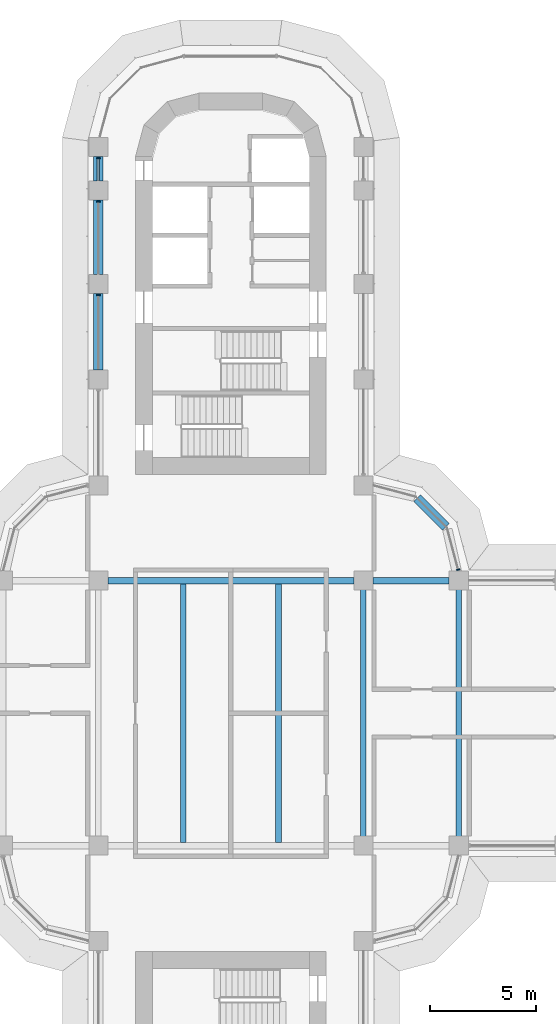
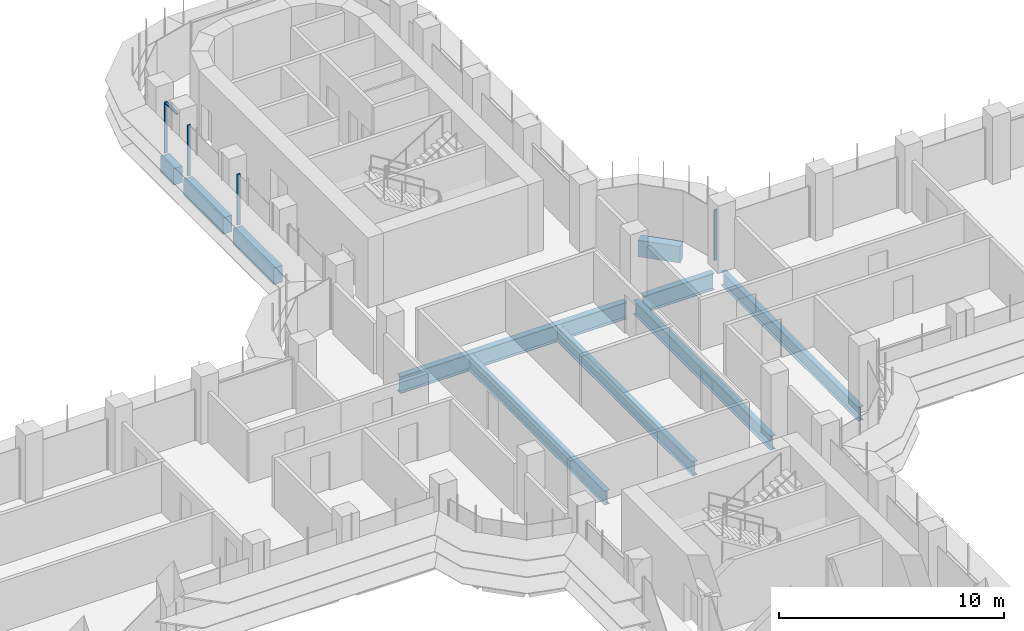
# One storey, part 7 of 22: 10 beams, 5 members, 2 elements without a shape of their own.
"""IFC4 building model written with IfcOpenShell, lengths in metres."""

import ifcopenshell
import ifcopenshell.guid

model = None  # the IFC model being written
_history = None  # IfcOwnerHistory: only IFC2X3 demands one
_inside = {}  # id of a spatial element -> (the spatial element, [elements in it])
_under = {}  # id of a project, library or spatial element -> (it, [spatial elements below it])
_declared = {}  # id of a project -> (the project, [libraries it declares])
_typed = {}  # id of a type object -> (the type object, [elements of that type])
_made_of = {}  # id of a material, layer set ... -> (it, [elements and type objects made of it])


def new_model(schema):
    """Start an empty IFC model of exactly this schema.

    Asked for "IFC4X3", IfcOpenShell would pick the latest addendum, in which some entities
    have other attributes; the version numbers below select the first issue.
    IFC2X3 requires an IfcOwnerHistory on every rooted entity: one is made here for all.
    """
    global model, _history
    if schema == "IFC4X3":
        model = ifcopenshell.file(schema_version=(4, 3, 0, 0))
    else:
        model = ifcopenshell.file(schema=schema)
    _inside.clear()
    _under.clear()
    _declared.clear()
    _typed.clear()
    _made_of.clear()
    _history = None
    if model.schema == "IFC2X3":
        org = make("IfcOrganization", Name="unknown")
        user = make(
            "IfcPersonAndOrganization",
            ThePerson=make("IfcPerson", FamilyName="unknown"),
            TheOrganization=org,
        )
        app = make(
            "IfcApplication",
            ApplicationDeveloper=org,
            Version="unknown",
            ApplicationFullName="unknown",
            ApplicationIdentifier="unknown",
        )
        _history = make(
            "IfcOwnerHistory",
            OwningUser=user,
            OwningApplication=app,
            ChangeAction="ADDED",
            CreationDate=0,
        )
    return model


def make(cls, **values):
    """One entity of the class cls with the attributes given. An attribute that is None is left unset."""
    return model.create_entity(
        cls, **{name: value for name, value in values.items() if value is not None}
    )


def rooted(cls, **values):
    """An entity with a GlobalId (a new one), such as an element, a storey or a relation."""
    return make(cls, GlobalId=ifcopenshell.guid.new(), OwnerHistory=_history, **values)


def si_unit(unit_type, name, prefix=None):
    """IfcSIUnit, for example si_unit("LENGTHUNIT", "METRE", prefix="MILLI")."""
    return make("IfcSIUnit", UnitType=unit_type, Prefix=prefix, Name=name)


def assignment(units):
    """IfcUnitAssignment: the units of a project."""
    return None if units is None else make("IfcUnitAssignment", Units=units)


def point(xyz):
    """IfcCartesianPoint."""
    return None if xyz is None else make("IfcCartesianPoint", Coordinates=xyz)


def direction(xyz):
    """IfcDirection."""
    return None if xyz is None else make("IfcDirection", DirectionRatios=xyz)


def frame(location, z_axis=None, x_axis=None):
    """IfcAxis2Placement3D, a coordinate frame: its origin and axes. An axis left out is left unset."""
    return make(
        "IfcAxis2Placement3D",
        Location=point(location),
        Axis=direction(z_axis),
        RefDirection=direction(x_axis),
    )


def frame_2d(location, x_axis=None):
    """IfcAxis2Placement2D, a coordinate frame in the plane: its origin and x axis."""
    return make(
        "IfcAxis2Placement2D", Location=point(location), RefDirection=direction(x_axis)
    )


def origin():
    """The frame at (0, 0, 0) with its axes left unset."""
    return frame((0.0, 0.0, 0.0))


def origin_2d():
    """The frame at (0, 0) in the plane with its x axis left unset."""
    return frame_2d((0.0, 0.0))


def place(relative_to, where):
    """IfcLocalPlacement: puts the frame where relative to a parent placement (None: the world)."""
    return make(
        "IfcLocalPlacement", PlacementRelTo=relative_to, RelativePlacement=where
    )


def context(
    kind, dimensions, precision=None, world=None, true_north=None, identifier=None
):
    """IfcGeometricRepresentationContext, for example the 3D "Model" context."""
    return make(
        "IfcGeometricRepresentationContext",
        ContextIdentifier=identifier,
        ContextType=kind,
        CoordinateSpaceDimension=dimensions,
        Precision=precision,
        WorldCoordinateSystem=world,
        TrueNorth=true_north,
    )


def subcontext(parent, identifier, kind, view, scale=None):
    """IfcGeometricRepresentationSubContext, for example "Body" below "Model"."""
    return make(
        "IfcGeometricRepresentationSubContext",
        ContextIdentifier=identifier,
        ContextType=kind,
        ParentContext=parent,
        TargetScale=scale,
        TargetView=view,
    )


def project(units=None, contexts=None):
    """IfcProject with its units and contexts."""
    return rooted(
        "IfcProject",
        Name="project",
        RepresentationContexts=contexts,
        UnitsInContext=assignment(units),
    )


def spatial(cls, under=None, at=None, **own):
    """A site, building, storey or space (cls), placed at a placement, below another one or the project."""
    s = rooted(cls, ObjectPlacement=at, **own)
    if under is not None:
        _under.setdefault(under.id(), (under, []))[1].append(s)
    return s


def polyline(points):
    """IfcPolyline through the points."""
    return make("IfcPolyline", Points=[point(p) for p in points])


def profile(cls, at=None, kind="AREA", **sizes):
    """A parametric profile (cls). Its sizes go by their IFC names, for example OverallWidth=200.0."""
    return make(cls, ProfileType=kind, Position=at, **sizes)


def rectangle(**sizes):
    """IfcRectangleProfileDef."""
    return profile("IfcRectangleProfileDef", **sizes)


def i_section(**sizes):
    """IfcIShapeProfileDef."""
    return profile("IfcIShapeProfileDef", **sizes)


def outline(outer, holes=None, kind="AREA"):
    """IfcArbitraryClosedProfileDef: a profile drawn as a closed curve; with holes, ...WithVoids."""
    if holes is None:
        return make("IfcArbitraryClosedProfileDef", ProfileType=kind, OuterCurve=outer)
    return make(
        "IfcArbitraryProfileDefWithVoids",
        ProfileType=kind,
        OuterCurve=outer,
        InnerCurves=holes,
    )


def extrude(swept, where, along, depth):
    """IfcExtrudedAreaSolid: the profile swept, set in the frame where, extruded along a direction by depth."""
    return make(
        "IfcExtrudedAreaSolid",
        SweptArea=swept,
        Position=where,
        ExtrudedDirection=direction(along),
        Depth=depth,
    )


def shape(context_of_items, identifier, shape_type, items):
    """IfcShapeRepresentation: the items that make up one representation, for example the "Body"."""
    return make(
        "IfcShapeRepresentation",
        ContextOfItems=context_of_items,
        RepresentationIdentifier=identifier,
        RepresentationType=shape_type,
        Items=items,
    )


def source(mapping_origin, context_of_items, identifier, shape_type, items):
    """IfcRepresentationMap: a shape defined once, which mapped items show again and again."""
    return make(
        "IfcRepresentationMap",
        MappingOrigin=mapping_origin,
        MappedRepresentation=shape(context_of_items, identifier, shape_type, items),
    )


def transform(
    local_origin,
    x_axis=None,
    y_axis=None,
    z_axis=None,
    scale=None,
    scale2=None,
    scale3=None,
    uniform=True,
):
    """IfcCartesianTransformationOperator3D, or its non-uniform kind. x_axis, y_axis, z_axis: its Axis1, 2, 3."""
    if uniform:
        return make(
            "IfcCartesianTransformationOperator3D",
            Axis1=direction(x_axis),
            Axis2=direction(y_axis),
            LocalOrigin=point(local_origin),
            Scale=scale,
            Axis3=direction(z_axis),
        )
    return make(
        "IfcCartesianTransformationOperator3DnonUniform",
        Axis1=direction(x_axis),
        Axis2=direction(y_axis),
        LocalOrigin=point(local_origin),
        Scale=scale,
        Axis3=direction(z_axis),
        Scale2=scale2,
        Scale3=scale3,
    )


def mapped(mapping_source, mapping_target):
    """IfcMappedItem: shows the shape of a source again, moved by a transform."""
    return make(
        "IfcMappedItem", MappingSource=mapping_source, MappingTarget=mapping_target
    )


def material(Name=None, Category=None):
    """IfcMaterial."""
    return make("IfcMaterial", Name=Name, Category=Category)


def material_profile(
    of_material, cross_section, Name=None, Category=None, Priority=None
):
    """IfcMaterialProfile: a cross section and its material."""
    return make(
        "IfcMaterialProfile",
        Name=Name,
        Material=of_material,
        Profile=cross_section,
        Priority=Priority,
        Category=Category,
    )


def profile_set(profiles, Name=None, composite=None):
    """IfcMaterialProfileSet."""
    return make(
        "IfcMaterialProfileSet",
        Name=Name,
        MaterialProfiles=profiles,
        CompositeProfile=composite,
    )


def made_of(thing, what):
    """Note that an element or type object is made of a material, layer set ...; save() writes the relation."""
    if what is not None:
        _made_of.setdefault(what.id(), (what, []))[1].append(thing)
    return thing


def type_object(cls, material=None, **own):
    """A type object (cls), such as IfcWallType, which elements share."""
    return made_of(rooted(cls, **own), material)


def element(
    cls,
    number,
    at=None,
    inside=None,
    cuts=None,
    type_object=None,
    material=None,
    context=None,
    identifier="Body",
    shape_type=None,
    held_by="IfcProductDefinitionShape",
    body=None,
    shapes=None,
    **own,
):
    """One element of the class cls, such as IfcWall. Its Tag is "e" and its number.

    at: its placement. inside: the storey or other place that contains it. cuts: it is an
    opening in that element (IfcRelVoidsElement). A single representation is given by context,
    identifier, shape_type and body (its items); several are given by shapes. held_by: the class
    of the entity that holds the representations. save() writes the other relations.
    """
    e = rooted(cls, Tag="e%d" % number, ObjectPlacement=at, **own)
    if body is not None:
        shapes = [shape(context, identifier, shape_type, body)]
    if shapes is not None:
        e.Representation = make(held_by, Representations=shapes)
    if inside is not None:
        _inside.setdefault(inside.id(), (inside, []))[1].append(e)
    if cuts is not None:
        rooted(
            "IfcRelVoidsElement", RelatingBuildingElement=cuts, RelatedOpeningElement=e
        )
    if type_object is not None:
        _typed.setdefault(type_object.id(), (type_object, []))[1].append(e)
    return made_of(e, material)


def aggregate(whole, parts):
    """IfcRelAggregates: a whole, such as a stair, and the parts it consists of."""
    return rooted("IfcRelAggregates", RelatingObject=whole, RelatedObjects=parts)


def save(model, path):
    """Write the relations noted so far, then the file.

    IfcRelAggregates (storeys below a building ...), IfcRelContainedInSpatialStructure (elements
    in a storey), IfcRelDefinesByType, IfcRelAssociatesMaterial and IfcRelDeclares: one each for
    every whole, place, type object, material and project.
    """
    for whole, parts in _under.values():
        aggregate(whole, parts)
    for where, things in _inside.values():
        rooted(
            "IfcRelContainedInSpatialStructure",
            RelatedElements=things,
            RelatingStructure=where,
        )
    for kind, things in _typed.values():
        rooted("IfcRelDefinesByType", RelatedObjects=things, RelatingType=kind)
    for what, things in _made_of.values():
        rooted("IfcRelAssociatesMaterial", RelatedObjects=things, RelatingMaterial=what)
    for by, libraries in _declared.values():
        rooted("IfcRelDeclares", RelatingContext=by, RelatedDefinitions=libraries)
    model.write(path)


model = new_model("IFC4")

# Units and contexts
model_context = context("Model", 3, precision=1e-05, world=origin(), true_north=direction((0.0, 1.0)))
body_context = subcontext(model_context, "Body", "Model", "MODEL_VIEW")
ifc_project = project(units=[si_unit("LENGTHUNIT", "METRE"), si_unit("AREAUNIT", "SQUARE_METRE"), si_unit("VOLUMEUNIT", "CUBIC_METRE"), si_unit("PLANEANGLEUNIT", "RADIAN"), si_unit("MASSUNIT", "GRAM", prefix="KILO")], contexts=[model_context])

# Site, building, storey
site_placement = place(None, origin())
site = spatial("IfcSite", under=ifc_project, at=site_placement, CompositionType="ELEMENT")
building_placement = place(site_placement, origin())
building = spatial("IfcBuilding", under=site, at=building_placement, Name="Zarbagh Exchange Tower", CompositionType="ELEMENT")
storey_placement = place(building_placement, frame((0.0, 0.0, 101.800048828125)))
storey = spatial("IfcBuildingStorey", under=building, at=storey_placement, Name="L23", CompositionType="ELEMENT", Elevation=101.800048828125)

# Beams
ifc_material_1 = material(Name="Steel ASTM A992 Gr 50", Category="steel")
ifc_material_profile_1 = material_profile(ifc_material_1, i_section(OverallWidth=0.2666015625, OverallDepth=0.7568359375, WebThickness=0.013916015625, FlangeThickness=0.019287109375, at=origin_2d()), Name="W30X108")
ifc_profile_set_1 = profile_set([ifc_material_profile_1], Name="Steel ASTM A992 Gr 50")
beam_type_1 = type_object("IfcBeamType", Name="Floor beam W30X108", PredefinedType="BEAM", material=ifc_profile_set_1)
for number, where, z_axis, x_axis, name in (
    (1, (-2.25, -6.09765625, -0.528564453125), (0.0, 1.0, 0.0), (-1.0, 0.0, 0.0), "Steel floor beam"),
    (2, (2.25, -6.09765625, -0.528564453125), (0.0, 1.0, 0.0), (-1.0, 0.0, 0.0), "Steel floor beam"),
    (3, (6.25, -6.09765625, -0.528564453125), (0.0, 1.0, 0.0), (-1.0, 0.0, 0.0), "Steel floor beam"),
    (4, (10.75, -6.09765625, -0.528564453125), (0.0, 1.0, 0.0), (-1.0, 0.0, 0.0), "Steel floor beam"),
):
    element("IfcBeam", number, at=place(storey_placement, frame(where, z_axis=z_axis, x_axis=x_axis)), inside=storey, type_object=beam_type_1, Name=name, PredefinedType="BEAM", context=body_context, shape_type="SweptSolid", body=[
        extrude(i_section(OverallWidth=0.2666015625, OverallDepth=0.7568359375, WebThickness=0.013916015625, FlangeThickness=0.019287109375, at=origin_2d()), origin(), (0.0, 0.0, 1.0), 12.1953125),
    ])
ifc_material_profile_2 = material_profile(ifc_material_1, i_section(OverallWidth=0.3046875, OverallDepth=0.911865234375, WebThickness=0.015869140625, FlangeThickness=0.02392578125, at=origin_2d()), Name="W36X150")
ifc_profile_set_2 = profile_set([ifc_material_profile_2], Name="Steel ASTM A992 Gr 50")
beam_type_2 = type_object("IfcBeamType", Name="Floor girder W36X150", PredefinedType="BEAM", material=ifc_profile_set_2)
beam_1_placement = place(storey_placement, frame((-5.800048828125, 6.25, -0.60595703125), z_axis=(1.0, 0.0, 0.0), x_axis=(0.0, 1.0, 0.0)))
element("IfcBeam", 5, at=beam_1_placement, inside=storey, type_object=beam_type_2, Name="Steel girder", PredefinedType="BEAM", context=body_context, shape_type="SweptSolid", body=[
    extrude(i_section(OverallWidth=0.3046875, OverallDepth=0.911865234375, WebThickness=0.015869140625, FlangeThickness=0.02392578125, at=origin_2d()), origin(), (0.0, 0.0, 1.0), 11.60009765625),
])
beam_2_placement = place(storey_placement, frame((6.699951171875, 6.25, -0.60595703125), z_axis=(1.0, 0.0, 0.0), x_axis=(0.0, 1.0, 0.0)))
element("IfcBeam", 6, at=beam_2_placement, inside=storey, type_object=beam_type_2, Name="Steel girder", PredefinedType="BEAM", context=body_context, shape_type="SweptSolid", body=[
    extrude(i_section(OverallWidth=0.3046875, OverallDepth=0.911865234375, WebThickness=0.015869140625, FlangeThickness=0.02392578125, at=origin_2d()), origin(), (0.0, 0.0, 1.0), 3.60009765625),
])
ifc_material_2 = material(Name="Concrete C60/75", Category="concrete")
ifc_material_profile_3 = material_profile(ifc_material_2, rectangle(XDim=0.449951171875, YDim=0.89990234375, at=origin_2d()), Name="RC spandrel beam 450 x 900 C60/75")
ifc_profile_set_3 = profile_set([ifc_material_profile_3], Name="Concrete C60/75")
beam_type_3 = type_object("IfcBeamType", Name="RC spandrel beam 450 x 900 C60/75", PredefinedType="SPANDREL", material=ifc_profile_set_3)
beam_3_placement = place(storey_placement, frame((-6.25, 16.199951171875, -0.60009765625), z_axis=(0.0, 1.0, 0.0), x_axis=(-1.0, 0.0, 0.0)))
element("IfcBeam", 7, at=beam_3_placement, inside=storey, type_object=beam_type_3, Name="RC spandrel beam", PredefinedType="SPANDREL", context=body_context, shape_type="SweptSolid", body=[
    extrude(rectangle(XDim=0.449951171875, YDim=0.89990234375, at=origin_2d()), origin(), (0.0, 0.0, 1.0), 3.60009765625),
])
beam_4_placement = place(storey_placement, frame((-6.25, 20.699951171875, -0.60009765625), z_axis=(0.0, 1.0, 0.0), x_axis=(-1.0, 0.0, 0.0)))
element("IfcBeam", 8, at=beam_4_placement, inside=storey, type_object=beam_type_3, Name="RC spandrel beam", PredefinedType="SPANDREL", context=body_context, shape_type="SweptSolid", body=[
    extrude(rectangle(XDim=0.449951171875, YDim=0.89990234375, at=origin_2d()), origin(), (0.0, 0.0, 1.0), 3.5),
])
beam_5_placement = place(storey_placement, frame((-6.25, 25.10009765625, -0.60009765625), z_axis=(0.0, 1.0, 0.0), x_axis=(-1.0, 0.0, 0.0)))
element("IfcBeam", 9, at=beam_5_placement, inside=storey, type_object=beam_type_3, Name="RC spandrel beam", PredefinedType="SPANDREL", context=body_context, shape_type="SweptSolid", body=[
    extrude(rectangle(XDim=0.449951171875, YDim=0.89990234375, at=origin_2d()), origin(), (0.0, 0.0, 1.0), 1.14990234375),
])
beam_6_placement = place(storey_placement, frame((8.78759765625, 10.15234375, -0.60009765625), z_axis=(0.707106781187, -0.707106781187, 0.0), x_axis=(0.707106781187, 0.707106781187, 0.0)))
element("IfcBeam", 10, at=beam_6_placement, inside=storey, type_object=beam_type_3, Name="RC spandrel beam", PredefinedType="SPANDREL", context=body_context, shape_type="SweptSolid", body=[
    extrude(rectangle(XDim=0.449951171875, YDim=0.89990234375, at=origin_2d()), origin(), (0.0, 0.0, 1.0), 1.929931640625),
])

# Curtain wall, member
ifc_material_3 = material(Name="Anodised aluminium frame and glazing", Category="aluminium")
curtain_wall_type = type_object("IfcCurtainWallType", Name="CWA Ribbon glazing, lower zones", PredefinedType="NOTDEFINED", material=ifc_material_3)
curtain_wall_1_placement = place(storey_placement, origin())
curtain_wall_1 = element("IfcCurtainWall", 11, at=curtain_wall_1_placement, inside=storey, type_object=curtain_wall_type, Name="CWA17 curtain wall", PredefinedType="NOTDEFINED")
ifc_material_4 = material(Name="Anodised aluminium frame", Category="aluminium")
member_type_1 = type_object("IfcMemberType", Name="MUA Mullion, anodised aluminium frame", PredefinedType="MULLION", material=ifc_material_4)
shared_shape_1 = source(origin(), body_context, "Body", "SweptSolid", [
    extrude(outline(polyline([(0.0, -0.080078125), (0.06005859375, -0.080078125), (0.06005859375, 0.080078125), (0.0, 0.080078125), (0.0, -0.080078125)])), origin(), (0.0, 0.0, 1.0), 2.75),
])
placement = place(storey_placement, origin())
member_1 = element("IfcMember", 12, at=placement, type_object=member_type_1, Name="CWA17 mullion 1.1", PredefinedType="MULLION", context=body_context, shape_type="MappedRepresentation", body=[
    mapped(shared_shape_1, transform((10.735107421875, 6.739990234375, 0.0), x_axis=(-0.258824779902, 0.965924289636, 0.0), y_axis=(-0.965924289636, -0.258824779902, 0.0), z_axis=(0.0, 0.0, 1.0))),
])
aggregate(curtain_wall_1, [member_1])

# Curtain wall, members
curtain_wall_2_placement = place(storey_placement, origin())
curtain_wall_2 = element("IfcCurtainWall", 13, at=curtain_wall_2_placement, inside=storey, type_object=curtain_wall_type, Name="CWA56 curtain wall", PredefinedType="NOTDEFINED")
member_2 = element("IfcMember", 14, at=placement, type_object=member_type_1, Name="CWA56 mullion 1.1", PredefinedType="MULLION", context=body_context, shape_type="MappedRepresentation", body=[
    mapped(shared_shape_1, transform((-6.25, 26.2099609375, 0.0), x_axis=(0.0, -1.0, 0.0), y_axis=(1.0, 0.0, 0.0), z_axis=(0.0, 0.0, 1.0))),
])
member_3 = element("IfcMember", 15, at=placement, type_object=member_type_1, Name="CWA56 mullion 2.1", PredefinedType="MULLION", context=body_context, shape_type="MappedRepresentation", body=[
    mapped(shared_shape_1, transform((-6.25, 24.159912109375, 0.0), x_axis=(0.0, -1.0, 0.0), y_axis=(1.0, 0.0, 0.0), z_axis=(0.0, 0.0, 1.0))),
])
member_4 = element("IfcMember", 16, at=placement, type_object=member_type_1, Name="CWA56 mullion 3.1", PredefinedType="MULLION", context=body_context, shape_type="MappedRepresentation", body=[
    mapped(shared_shape_1, transform((-6.25, 19.760009765625, 0.0), x_axis=(0.0, -1.0, 0.0), y_axis=(1.0, 0.0, 0.0), z_axis=(0.0, 0.0, 1.0))),
])
member_type_2 = type_object("IfcMemberType", Name="TRA Transom, anodised aluminium frame", PredefinedType="USERDEFINED", material=ifc_material_4)
shared_shape_2 = source(origin(), body_context, "Body", "SweptSolid", [
    extrude(outline(polyline([(-0.06005859375, -0.06005859375), (0.0, -0.06005859375), (0.0, 0.06005859375), (-0.06005859375, 0.06005859375), (-0.06005859375, -0.06005859375)])), origin(), (0.0, 0.0, 1.0), 1.010009765625),
])
member_5 = element("IfcMember", 17, at=placement, type_object=member_type_2, Name="CWA56 transom 1.1", ObjectType="TRANSOM", PredefinedType="USERDEFINED", context=body_context, shape_type="MappedRepresentation", body=[
    mapped(shared_shape_2, transform((-6.25, 26.14990234375, 2.75), x_axis=(0.0, 0.0, 1.0), y_axis=(-1.0, 0.0, 0.0), z_axis=(0.0, -1.0, 0.0))),
])
aggregate(curtain_wall_2, [member_2, member_5, member_3, member_4])

save(model, "model.ifc")
